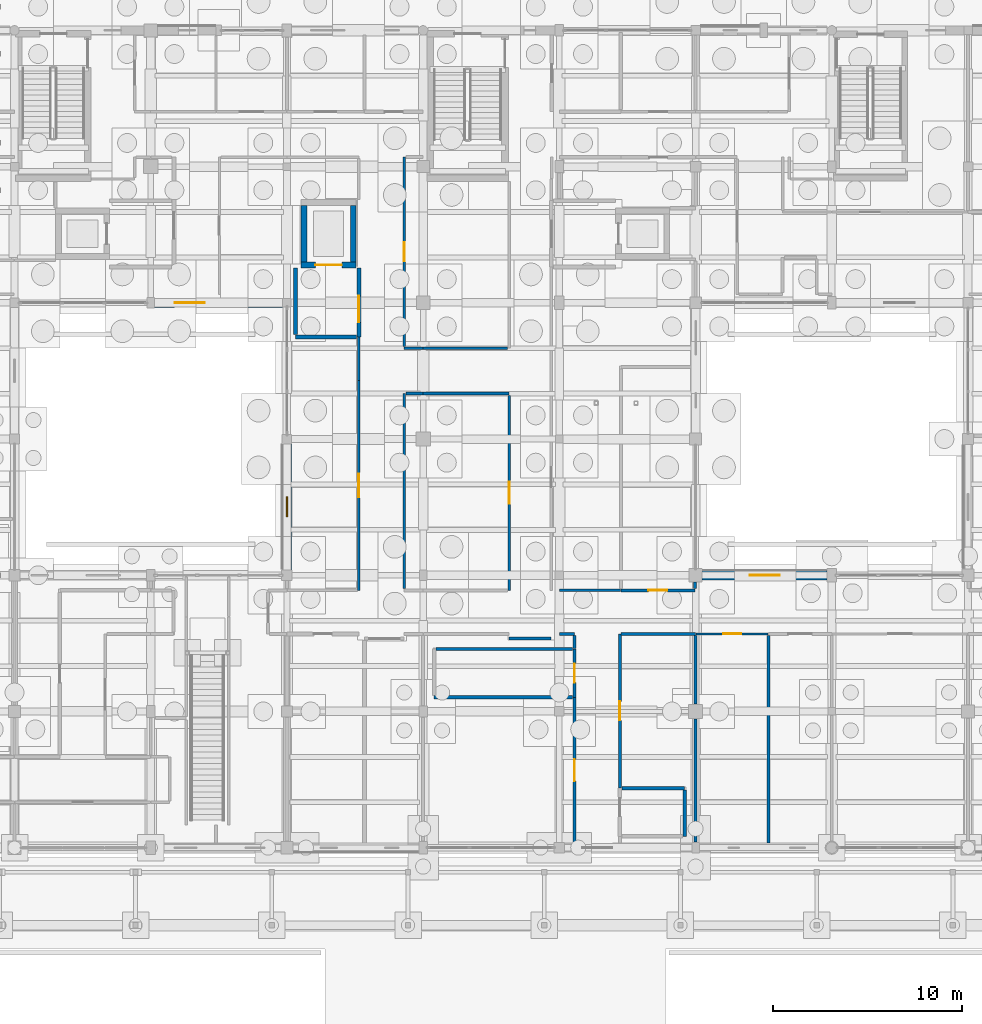
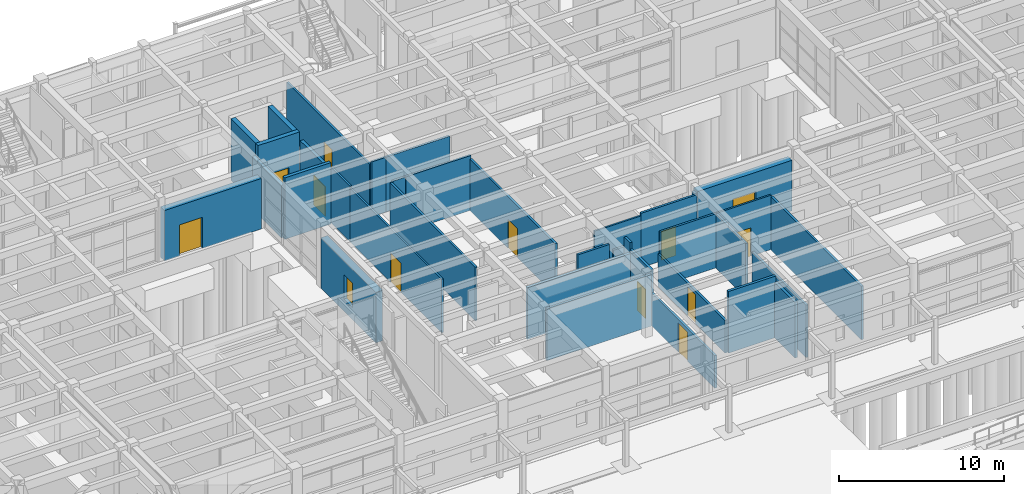
# One storey, part 111 of 143: 36 walls, 12 doors, 1 window, 13 openings.
"""IFC4 building model written with IfcOpenShell, lengths in metres."""

from ifc_helpers import new_model, si_unit, direction, frame, frame_2d, origin, place, context, subcontext, project, spatial, rectangle, extrude, material, layer, layer_set, type_object, element, fill, save


model = new_model("IFC4")

# Units and contexts
model_context = context("Model", 3, precision=1e-05, world=origin(), true_north=direction((0.0, 1.0)))
body_context = subcontext(model_context, "Body", "Model", "MODEL_VIEW")
ifc_project = project(units=[si_unit("LENGTHUNIT", "METRE"), si_unit("AREAUNIT", "SQUARE_METRE"), si_unit("VOLUMEUNIT", "CUBIC_METRE"), si_unit("PLANEANGLEUNIT", "RADIAN"), si_unit("MASSUNIT", "GRAM", prefix="KILO")], contexts=[model_context])

# Site, building, storey
site_placement = place(None, origin())
site = spatial("IfcSite", under=ifc_project, at=site_placement, CompositionType="ELEMENT")
building_placement = place(site_placement, origin())
building = spatial("IfcBuilding", under=site, at=building_placement, Name="Steenspoor Specialist Clinic", CompositionType="ELEMENT")
storey_placement = place(building_placement, origin())
storey = spatial("IfcBuildingStorey", under=building, at=storey_placement, Name="L00", CompositionType="ELEMENT", Elevation=0.0)

# Wall, opening, window
ifc_material_1 = material(Name="Volcanic basalt ashlar masonry", Category="masonry")
ifc_layer_1 = layer(ifc_material_1, 0.47998046875)
ifc_layer_set_1 = layer_set([ifc_layer_1], Name="Volcanic basalt ashlar masonry")
wall_type_1 = type_object("IfcWallType", Name="W-BASALT-480", PredefinedType="SOLIDWALL", material=ifc_layer_set_1)
wall_1_placement = place(storey_placement, frame((74.0, 79.824951171875, 0.0), z_axis=(0.0, 0.0, 1.0), x_axis=(0.0, 1.0, 0.0)))
wall_1 = element("IfcWall", 1, at=wall_1_placement, inside=storey, type_object=wall_type_1, Name="Exterior Brick Wall EW-V4-L00-0102", PredefinedType="SOLIDWALL", context=body_context, shape_type="SweptSolid", body=[
    extrude(rectangle(XDim=6.675048828125, YDim=0.47998046875, at=frame_2d((3.33740234375, 0.0))), origin(), (0.0, 0.0, 1.0), 3.72998046875),
])
opening_1_placement = place(wall_1_placement, frame((2.8125, 0.0, 0.89990234375)))
opening_1 = element("IfcOpeningElement", 2, at=opening_1_placement, cuts=wall_1, Name="Opening WN-04", PredefinedType="OPENING", context=body_context, shape_type="SweptSolid", body=[
    extrude(rectangle(XDim=1.050048828125, YDim=1.800048828125, at=frame_2d((0.52490234375, 0.89990234375))), frame((0.0, 0.25, 0.0), z_axis=(0.0, -1.0, 0.0), x_axis=(1.0, 0.0, 0.0)), (0.0, 0.0, 1.0), 0.5),
])
ifc_material_2 = material(Name="Thermally broken aluminium and low-emissivity glass", Category="aluminium")
window_type = type_object("IfcWindowType", Name="WN-EXT-105X180", PartitioningType="SINGLE_PANEL", PredefinedType="WINDOW", material=ifc_material_2)
window_placement = place(opening_1_placement, origin())
window = element("IfcWindow", 3, at=window_placement, inside=storey, type_object=window_type, Name="Window 0124", OverallHeight=1.800048828125, OverallWidth=1.050048828125, PartitioningType="SINGLE_PANEL", PredefinedType="WINDOW", context=body_context, shape_type="SweptSolid", body=[
    extrude(rectangle(XDim=1.050048828125, YDim=1.800048828125, at=frame_2d((0.52490234375, 0.89990234375))), frame((0.0, 0.030029296875, 0.0), z_axis=(0.0, -1.0, 0.0), x_axis=(1.0, 0.0, 0.0)), (0.0, 0.0, 1.0), 0.06005859375),
])
fill(opening_1, window)

# Wall, opening, door
wall_2_placement = place(storey_placement, frame((73.77490234375, 93.949951171875, 0.0), z_axis=(0.0, 0.0, 1.0), x_axis=(-1.0, 0.0, 0.0)))
wall_2 = element("IfcWall", 4, at=wall_2_placement, inside=storey, type_object=wall_type_1, Name="Exterior Brick Wall EW-V4-L00-0103", PredefinedType="SOLIDWALL", context=body_context, shape_type="SweptSolid", body=[
    extrude(rectangle(XDim=6.77490234375, YDim=0.47998046875, at=frame_2d((3.387451171875, 0.0))), origin(), (0.0, 0.0, 1.0), 3.72998046875),
])
opening_2_placement = place(wall_2_placement, frame((4.11767578125, 0.0, 0.0)))
opening_2 = element("IfcOpeningElement", 5, at=opening_2_placement, cuts=wall_2, Name="Opening ED19", PredefinedType="OPENING", context=body_context, shape_type="SweptSolid", body=[
    extrude(rectangle(XDim=1.60009765625, YDim=2.300048828125, at=frame_2d((0.800048828125, 1.14990234375))), frame((0.0, 0.25, 0.0), z_axis=(0.0, -1.0, 0.0), x_axis=(1.0, 0.0, 0.0)), (0.0, 0.0, 1.0), 0.5),
])
ifc_material_3 = material(Name="Anodised aluminium and safety glass", Category="aluminium")
door_type_1 = type_object("IfcDoorType", Name="DT-EXIT-160X230", OperationType="NOTDEFINED", PredefinedType="DOOR", material=ifc_material_3)
door_1_placement = place(opening_2_placement, origin())
door_1 = element("IfcDoor", 6, at=door_1_placement, inside=storey, type_object=door_type_1, Name="Main Pedestrian Entrance Exit ED19", OperationType="DOUBLE_DOOR_SINGLE_SWING", OverallHeight=2.300048828125, OverallWidth=1.60009765625, PredefinedType="DOOR", context=body_context, shape_type="SweptSolid", body=[
    extrude(rectangle(XDim=1.60009765625, YDim=2.300048828125, at=frame_2d((0.800048828125, 1.14990234375))), frame((0.0, 0.02490234375, 0.0), z_axis=(0.0, -1.0, 0.0), x_axis=(1.0, 0.0, 0.0)), (0.0, 0.0, 1.0), 0.050048828125),
])
fill(opening_2, door_1)

wall_3_placement = place(storey_placement, frame((95.949951171875, 79.550048828125, 0.0), z_axis=(0.0, 0.0, 1.0), x_axis=(1.0, 0.0, 0.0)))
wall_3 = element("IfcWall", 7, at=wall_3_placement, inside=storey, type_object=wall_type_1, Name="Exterior Brick Wall EW-V4-L00-0108", PredefinedType="SOLIDWALL", context=body_context, shape_type="SweptSolid", body=[
    extrude(rectangle(XDim=6.60009765625, YDim=0.47998046875, at=frame_2d((3.300048828125, 0.0))), origin(), (0.0, 0.0, 1.0), 3.72998046875),
])
opening_3_placement = place(wall_3_placement, frame((2.5, 0.0, 0.0)))
opening_3 = element("IfcOpeningElement", 8, at=opening_3_placement, cuts=wall_3, Name="Opening ED21", PredefinedType="OPENING", context=body_context, shape_type="SweptSolid", body=[
    extrude(rectangle(XDim=1.60009765625, YDim=2.300048828125, at=frame_2d((0.800048828125, 1.14990234375))), frame((0.0, 0.25, 0.0), z_axis=(0.0, -1.0, 0.0), x_axis=(1.0, 0.0, 0.0)), (0.0, 0.0, 1.0), 0.5),
])
door_2_placement = place(opening_3_placement, origin())
door_2 = element("IfcDoor", 9, at=door_2_placement, inside=storey, type_object=door_type_1, Name="Main Pedestrian Entrance Exit ED21", OperationType="DOUBLE_DOOR_SINGLE_SWING", OverallHeight=2.300048828125, OverallWidth=1.60009765625, PredefinedType="DOOR", context=body_context, shape_type="SweptSolid", body=[
    extrude(rectangle(XDim=1.60009765625, YDim=2.300048828125, at=frame_2d((0.800048828125, 1.14990234375))), frame((0.0, 0.02490234375, 0.0), z_axis=(0.0, -1.0, 0.0), x_axis=(1.0, 0.0, 0.0)), (0.0, 0.0, 1.0), 0.050048828125),
])
fill(opening_3, door_2)

# Walls
ifc_material_4 = material(Name="Gypsum acoustic clinical partition", Category="gypsum")
ifc_layer_2 = layer(ifc_material_4, 0.14990234375)
ifc_layer_set_2 = layer_set([ifc_layer_2], Name="Gypsum acoustic clinical partition")
wall_type_2 = type_object("IfcWallType", Name="W-CLIN-150", PredefinedType="PARTITIONING", material=ifc_layer_set_2)
wall_4_placement = place(storey_placement, frame((88.39990234375, 76.449951171875, 0.0), z_axis=(0.0, 0.0, 1.0), x_axis=(1.0, 0.0, 0.0)))
element("IfcWall", 10, at=wall_4_placement, inside=storey, type_object=wall_type_2, Name="Interior Partition IW-V4-L00-0219", PredefinedType="PARTITIONING", context=body_context, shape_type="SweptSolid", body=[
    extrude(rectangle(XDim=0.800048828125, YDim=0.14990234375, at=frame_2d((0.39990234375, 0.0))), origin(), (0.0, 0.0, 1.0), 3.81494140625),
])
wall_5_placement = place(storey_placement, frame((89.199951171875, 75.6650390625, 0.0), z_axis=(0.0, 0.0, 1.0), x_axis=(0.0, 1.0, 0.0)))
element("IfcWall", 11, at=wall_5_placement, inside=storey, type_object=wall_type_2, Name="Interior Partition IW-V4-L00-0220", PredefinedType="PARTITIONING", context=body_context, shape_type="SweptSolid", body=[
    extrude(rectangle(XDim=0.695068359375, YDim=0.14990234375, at=frame_2d((0.34765625, 0.0))), origin(), (0.0, 0.0, 1.0), 4.550048828125),
])

# Wall, opening, door
wall_6_placement = place(storey_placement, frame((89.199951171875, 65.405029296875, 0.0), z_axis=(0.0, 0.0, 1.0), x_axis=(0.0, 1.0, 0.0)))
wall_6 = element("IfcWall", 12, at=wall_6_placement, inside=storey, type_object=wall_type_2, Name="Interior Partition IW-V4-L00-0221", PredefinedType="PARTITIONING", context=body_context, shape_type="SweptSolid", body=[
    extrude(rectangle(XDim=7.679931640625, YDim=0.14990234375, at=frame_2d((3.83984375, 0.0))), origin(), (0.0, 0.0, 1.0), 2.4150390625),
])
opening_4_placement = place(wall_6_placement, frame((3.264892578125, 0.0, 0.0)))
opening_4 = element("IfcOpeningElement", 13, at=opening_4_placement, cuts=wall_6, Name="Opening D0153", PredefinedType="OPENING", context=body_context, shape_type="SweptSolid", body=[
    extrude(rectangle(XDim=1.14990234375, YDim=2.14990234375, at=frame_2d((0.574951171875, 1.074951171875))), frame((0.0, 0.0849609375, 0.0), z_axis=(0.0, -1.0, 0.0), x_axis=(1.0, 0.0, 0.0)), (0.0, 0.0, 1.0), 0.169921875),
])
ifc_material_5 = material(Name="Solid-core hardwood clinical door", Category="wood")
door_type_2 = type_object("IfcDoorType", Name="DT-CONS-115X215", OperationType="NOTDEFINED", PredefinedType="DOOR", material=ifc_material_5)
door_3_placement = place(opening_4_placement, origin())
door_3 = element("IfcDoor", 14, at=door_3_placement, inside=storey, type_object=door_type_2, Name="Clinical Door D0153", OperationType="SINGLE_SWING_RIGHT", OverallHeight=2.14990234375, OverallWidth=1.14990234375, PredefinedType="DOOR", context=body_context, shape_type="SweptSolid", body=[
    extrude(rectangle(XDim=1.14990234375, YDim=2.14990234375, at=frame_2d((0.574951171875, 1.074951171875))), frame((0.0, 0.02490234375, 0.0), z_axis=(0.0, -1.0, 0.0), x_axis=(1.0, 0.0, 0.0)), (0.0, 0.0, 1.0), 0.050048828125),
])
fill(opening_4, door_3)

# Walls
wall_7_placement = place(storey_placement, frame((85.75, 76.199951171875, 0.0), z_axis=(0.0, 0.0, 1.0), x_axis=(1.0, 0.0, 0.0)))
element("IfcWall", 15, at=wall_7_placement, inside=storey, type_object=wall_type_2, Name="Interior Partition IW-V4-L00-0223", PredefinedType="PARTITIONING", context=body_context, shape_type="SweptSolid", body=[
    extrude(rectangle(XDim=2.219970703125, YDim=0.14990234375, at=frame_2d((1.10986328125, 0.0))), origin(), (0.0, 0.0, 1.0), 4.550048828125),
])
wall_8_placement = place(storey_placement, frame((91.64990234375, 76.449951171875, 0.0), z_axis=(0.0, 0.0, 1.0), x_axis=(1.0, 0.0, 0.0)))
element("IfcWall", 16, at=wall_8_placement, inside=storey, type_object=wall_type_2, Name="Interior Partition IW-V4-L00-0224", PredefinedType="PARTITIONING", context=body_context, shape_type="SweptSolid", body=[
    extrude(rectangle(XDim=3.9501953125, YDim=0.14990234375, at=frame_2d((1.97509765625, 0.0))), origin(), (0.0, 0.0, 1.0), 4.014892578125),
])

# Wall, opening, door
wall_9_placement = place(storey_placement, frame((91.60009765625, 68.31494140625, 0.0), z_axis=(0.0, 0.0, 1.0), x_axis=(0.0, 1.0, 0.0)))
wall_9 = element("IfcWall", 17, at=wall_9_placement, inside=storey, type_object=wall_type_2, Name="Interior Partition IW-V4-L00-0226", PredefinedType="PARTITIONING", context=body_context, shape_type="SweptSolid", body=[
    extrude(rectangle(XDim=8.135009765625, YDim=0.14990234375, at=frame_2d((4.0673828125, 0.0))), origin(), (0.0, 0.0, 1.0), 2.4150390625),
])
opening_5_placement = place(wall_9_placement, frame((3.5673828125, 0.0, 0.0)))
opening_5 = element("IfcOpeningElement", 18, at=opening_5_placement, cuts=wall_9, Name="Opening D0155", PredefinedType="OPENING", context=body_context, shape_type="SweptSolid", body=[
    extrude(rectangle(XDim=1.0, YDim=2.14990234375, at=frame_2d((0.5, 1.074951171875))), frame((0.0, 0.0849609375, 0.0), z_axis=(0.0, -1.0, 0.0), x_axis=(1.0, 0.0, 0.0)), (0.0, 0.0, 1.0), 0.169921875),
])
ifc_material_6 = material(Name="Moisture-resistant HPL accessible WC door", Category="wood")
door_type_3 = type_object("IfcDoorType", Name="DT-AWC-100X215", OperationType="NOTDEFINED", PredefinedType="DOOR", material=ifc_material_6)
door_4_placement = place(opening_5_placement, origin())
door_4 = element("IfcDoor", 19, at=door_4_placement, inside=storey, type_object=door_type_3, Name="Clinical Door D0155", OperationType="SINGLE_SWING_RIGHT", OverallHeight=2.14990234375, OverallWidth=1.0, PredefinedType="DOOR", context=body_context, shape_type="SweptSolid", body=[
    extrude(rectangle(XDim=1.0, YDim=2.14990234375, at=frame_2d((0.5, 1.074951171875))), frame((0.0, 0.02490234375, 0.0), z_axis=(0.0, -1.0, 0.0), x_axis=(1.0, 0.0, 0.0)), (0.0, 0.0, 1.0), 0.050048828125),
])
fill(opening_5, door_4)

# Wall
wall_10_placement = place(storey_placement, frame((81.199951171875, 89.14990234375, 0.0), z_axis=(0.0, 0.0, 1.0), x_axis=(1.0, 0.0, 0.0)))
element("IfcWall", 20, at=wall_10_placement, inside=storey, type_object=wall_type_2, Name="Interior Partition IW-V4-L00-0239", PredefinedType="PARTITIONING", context=body_context, shape_type="SweptSolid", body=[
    extrude(rectangle(XDim=4.550048828125, YDim=0.14990234375, at=frame_2d((2.27490234375, 0.0))), origin(), (0.0, 0.0, 1.0), 4.054931640625),
])

# Wall, opening, door
wall_11_placement = place(storey_placement, frame((85.75, 78.75, 0.0), z_axis=(0.0, 0.0, 1.0), x_axis=(0.0, 1.0, 0.0)))
wall_11 = element("IfcWall", 21, at=wall_11_placement, inside=storey, type_object=wall_type_2, Name="Interior Partition IW-V4-L00-0240", PredefinedType="PARTITIONING", context=body_context, shape_type="SweptSolid", body=[
    extrude(rectangle(XDim=10.31005859375, YDim=0.14990234375, at=frame_2d((5.155029296875, 0.0))), origin(), (0.0, 0.0, 1.0), 3.81494140625),
])
opening_6_placement = place(wall_11_placement, frame((4.580078125, 0.0, 0.0)))
opening_6 = element("IfcOpeningElement", 22, at=opening_6_placement, cuts=wall_11, Name="Opening D0165", PredefinedType="OPENING", context=body_context, shape_type="SweptSolid", body=[
    extrude(rectangle(XDim=1.14990234375, YDim=2.14990234375, at=frame_2d((0.574951171875, 1.074951171875))), frame((0.0, 0.0849609375, 0.0), z_axis=(0.0, -1.0, 0.0), x_axis=(1.0, 0.0, 0.0)), (0.0, 0.0, 1.0), 0.169921875),
])
door_5_placement = place(opening_6_placement, origin())
door_5 = element("IfcDoor", 23, at=door_5_placement, inside=storey, type_object=door_type_2, Name="Clinical Door D0165", OperationType="SINGLE_SWING_RIGHT", OverallHeight=2.14990234375, OverallWidth=1.14990234375, PredefinedType="DOOR", context=body_context, shape_type="SweptSolid", body=[
    extrude(rectangle(XDim=1.14990234375, YDim=2.14990234375, at=frame_2d((0.574951171875, 1.074951171875))), frame((0.0, 0.02490234375, 0.0), z_axis=(0.0, -1.0, 0.0), x_axis=(1.0, 0.0, 0.0)), (0.0, 0.0, 1.0), 0.050048828125),
])
fill(opening_6, door_5)

# Walls
wall_12_placement = place(storey_placement, frame((80.199951171875, 78.840087890625, 0.0), z_axis=(0.0, 0.0, 1.0), x_axis=(0.0, 1.0, 0.0)))
element("IfcWall", 24, at=wall_12_placement, inside=storey, type_object=wall_type_2, Name="Interior Partition IW-V4-L00-0243", PredefinedType="PARTITIONING", context=body_context, shape_type="SweptSolid", body=[
    extrude(rectangle(XDim=10.309814453125, YDim=0.14990234375, at=frame_2d((5.15478515625, 0.0))), origin(), (0.0, 0.0, 1.0), 3.955078125),
])
wall_13_placement = place(storey_placement, frame((80.2900390625, 89.14990234375, 0.0), z_axis=(0.0, 0.0, 1.0), x_axis=(1.0, 0.0, 0.0)))
element("IfcWall", 25, at=wall_13_placement, inside=storey, type_object=wall_type_2, Name="Interior Partition IW-V4-L00-0244", PredefinedType="PARTITIONING", context=body_context, shape_type="SweptSolid", body=[
    extrude(rectangle(XDim=0.89501953125, YDim=0.14990234375, at=frame_2d((0.447509765625, 0.0))), origin(), (0.0, 0.0, 1.0), 4.054931640625),
])

# Wall, opening, door
wall_14_placement = place(storey_placement, frame((91.64990234375, 78.75, 0.0), z_axis=(0.0, 0.0, 1.0), x_axis=(1.0, 0.0, 0.0)))
wall_14 = element("IfcWall", 26, at=wall_14_placement, inside=storey, type_object=wall_type_2, Name="Interior Partition IW-V4-L00-0245", PredefinedType="PARTITIONING", context=body_context, shape_type="SweptSolid", body=[
    extrude(rectangle(XDim=3.91015625, YDim=0.14990234375, at=frame_2d((1.955078125, 0.0))), origin(), (0.0, 0.0, 1.0), 4.014892578125),
])
opening_7_placement = place(wall_14_placement, frame((1.455078125, 0.0, 0.0)))
opening_7 = element("IfcOpeningElement", 27, at=opening_7_placement, cuts=wall_14, Name="Opening D0167", PredefinedType="OPENING", context=body_context, shape_type="SweptSolid", body=[
    extrude(rectangle(XDim=1.0, YDim=2.14990234375, at=frame_2d((0.5, 1.074951171875))), frame((0.0, 0.0849609375, 0.0), z_axis=(0.0, -1.0, 0.0), x_axis=(1.0, 0.0, 0.0)), (0.0, 0.0, 1.0), 0.169921875),
])
door_6_placement = place(opening_7_placement, origin())
door_6 = element("IfcDoor", 28, at=door_6_placement, inside=storey, type_object=door_type_3, Name="Clinical Door D0167", OperationType="SINGLE_SWING_RIGHT", OverallHeight=2.14990234375, OverallWidth=1.0, PredefinedType="DOOR", context=body_context, shape_type="SweptSolid", body=[
    extrude(rectangle(XDim=1.0, YDim=2.14990234375, at=frame_2d((0.5, 1.074951171875))), frame((0.0, 0.02490234375, 0.0), z_axis=(0.0, -1.0, 0.0), x_axis=(1.0, 0.0, 0.0)), (0.0, 0.0, 1.0), 0.050048828125),
])
fill(opening_7, door_6)

# Walls
wall_15_placement = place(storey_placement, frame((81.199951171875, 91.550048828125, 0.0), z_axis=(0.0, 0.0, 1.0), x_axis=(1.0, 0.0, 0.0)))
element("IfcWall", 29, at=wall_15_placement, inside=storey, type_object=wall_type_2, Name="Interior Partition IW-V4-L00-0251", PredefinedType="PARTITIONING", context=body_context, shape_type="SweptSolid", body=[
    extrude(rectangle(XDim=4.4599609375, YDim=0.14990234375, at=frame_2d((2.22998046875, 0.0))), origin(), (0.0, 0.0, 1.0), 4.054931640625),
])
wall_16_placement = place(storey_placement, frame((80.199951171875, 91.550048828125, 0.0), z_axis=(0.0, 0.0, 1.0), x_axis=(1.0, 0.0, 0.0)))
element("IfcWall", 30, at=wall_16_placement, inside=storey, type_object=wall_type_2, Name="Interior Partition IW-V4-L00-0252", PredefinedType="PARTITIONING", context=body_context, shape_type="SweptSolid", body=[
    extrude(rectangle(XDim=0.985107421875, YDim=0.14990234375, at=frame_2d((0.49267578125, 0.0))), origin(), (0.0, 0.0, 1.0), 4.054931640625),
])

# Wall, opening, door
wall_17_placement = place(storey_placement, frame((80.199951171875, 91.639892578125, 0.0), z_axis=(0.0, 0.0, 1.0), x_axis=(0.0, 1.0, 0.0)))
wall_17 = element("IfcWall", 31, at=wall_17_placement, inside=storey, type_object=wall_type_2, Name="Interior Partition IW-V4-L00-0253", PredefinedType="PARTITIONING", context=body_context, shape_type="SweptSolid", body=[
    extrude(rectangle(XDim=10.010009765625, YDim=0.14990234375, at=frame_2d((5.0048828125, 0.0))), origin(), (0.0, 0.0, 1.0), 3.81494140625),
])
opening_8_placement = place(wall_17_placement, frame((4.5048828125, 0.0, 0.0)))
opening_8 = element("IfcOpeningElement", 32, at=opening_8_placement, cuts=wall_17, Name="Opening D0173", PredefinedType="OPENING", context=body_context, shape_type="SweptSolid", body=[
    extrude(rectangle(XDim=1.0, YDim=2.14990234375, at=frame_2d((0.5, 1.074951171875))), frame((0.0, 0.0849609375, 0.0), z_axis=(0.0, -1.0, 0.0), x_axis=(1.0, 0.0, 0.0)), (0.0, 0.0, 1.0), 0.169921875),
])
door_7_placement = place(opening_8_placement, origin())
door_7 = element("IfcDoor", 33, at=door_7_placement, inside=storey, type_object=door_type_3, Name="Clinical Door D0173", OperationType="SINGLE_SWING_RIGHT", OverallHeight=2.14990234375, OverallWidth=1.0, PredefinedType="DOOR", context=body_context, shape_type="SweptSolid", body=[
    extrude(rectangle(XDim=1.0, YDim=2.14990234375, at=frame_2d((0.5, 1.074951171875))), frame((0.0, 0.02490234375, 0.0), z_axis=(0.0, -1.0, 0.0), x_axis=(1.0, 0.0, 0.0)), (0.0, 0.0, 1.0), 0.050048828125),
])
fill(opening_8, door_7)

# Walls
wall_18_placement = place(storey_placement, frame((95.60009765625, 65.43994140625, 0.0), z_axis=(0.0, 0.0, 1.0), x_axis=(0.0, 1.0, 0.0)))
element("IfcWall", 34, at=wall_18_placement, inside=storey, type_object=wall_type_2, Name="Interior Partition IW-V4-L00-0609", PredefinedType="PARTITIONING", context=body_context, shape_type="SweptSolid", body=[
    extrude(rectangle(XDim=6.52001953125, YDim=0.14990234375, at=frame_2d((3.260009765625, 0.0))), origin(), (0.0, 0.0, 1.0), 3.885009765625),
])
wall_19_placement = place(storey_placement, frame((95.60009765625, 72.739990234375, 0.0), z_axis=(0.0, 0.0, 1.0), x_axis=(0.0, 1.0, 0.0)))
element("IfcWall", 35, at=wall_19_placement, inside=storey, type_object=wall_type_2, Name="Interior Partition IW-V4-L00-0610", PredefinedType="PARTITIONING", context=body_context, shape_type="SweptSolid", body=[
    extrude(rectangle(XDim=3.6201171875, YDim=0.14990234375, at=frame_2d((1.81005859375, 0.0))), origin(), (0.0, 0.0, 1.0), 4.014892578125),
])
wall_20_placement = place(storey_placement, frame((99.449951171875, 65.405029296875, 0.0), z_axis=(0.0, 0.0, 1.0), x_axis=(0.0, 1.0, 0.0)))
element("IfcWall", 36, at=wall_20_placement, inside=storey, type_object=wall_type_2, Name="Interior Partition IW-V4-L00-0611", PredefinedType="PARTITIONING", context=body_context, shape_type="SweptSolid", body=[
    extrude(rectangle(XDim=10.955078125, YDim=0.14990234375, at=frame_2d((5.4775390625, 0.0))), origin(), (0.0, 0.0, 1.0), 3.955078125),
])
wall_21_placement = place(storey_placement, frame((95.56005859375, 78.840087890625, 0.0), z_axis=(0.0, 0.0, 1.0), x_axis=(0.0, 1.0, 0.0)))
element("IfcWall", 37, at=wall_21_placement, inside=storey, type_object=wall_type_2, Name="Interior Partition IW-V4-L00-0625", PredefinedType="PARTITIONING", context=body_context, shape_type="SweptSolid", body=[
    extrude(rectangle(XDim=0.344970703125, YDim=0.14990234375, at=frame_2d((0.17236328125, 0.0))), origin(), (0.0, 0.0, 1.0), 4.014892578125),
])

# Wall, opening, door
ifc_material_7 = material(Name="Fire-rated clay blockwork masonry", Category="masonry")
ifc_layer_3 = layer(ifc_material_7, 0.219970703125)
ifc_layer_set_3 = layer_set([ifc_layer_3], Name="Fire-rated clay blockwork masonry")
wall_type_3 = type_object("IfcWallType", Name="W-FIRE-220", PredefinedType="PARTITIONING", material=ifc_layer_set_3)
wall_22_placement = place(storey_placement, frame((77.800048828125, 92.14990234375, 0.0), z_axis=(0.0, 0.0, 1.0), x_axis=(0.0, 1.0, 0.0)))
wall_22 = element("IfcWall", 38, at=wall_22_placement, inside=storey, type_object=wall_type_3, Name="Interior Partition IW-V4-L00-0001", PredefinedType="PARTITIONING", context=body_context, shape_type="SweptSolid", body=[
    extrude(rectangle(XDim=3.650146484375, YDim=0.219970703125, at=frame_2d((1.8251953125, 0.0))), origin(), (0.0, 0.0, 1.0), 3.885009765625),
])
opening_9_placement = place(wall_22_placement, frame((0.764892578125, 0.0, 0.0)))
opening_9 = element("IfcOpeningElement", 39, at=opening_9_placement, cuts=wall_22, Name="Opening D0144", PredefinedType="OPENING", context=body_context, shape_type="SweptSolid", body=[
    extrude(rectangle(XDim=1.39990234375, YDim=2.199951171875, at=frame_2d((0.699951171875, 1.10009765625))), frame((0.0, 0.1201171875, 0.0), z_axis=(0.0, -1.0, 0.0), x_axis=(1.0, 0.0, 0.0)), (0.0, 0.0, 1.0), 0.239990234375),
])
ifc_material_8 = material(Name="Fire-rated clinical laminate door", Category="steel")
door_type_4 = type_object("IfcDoorType", Name="DT-LAB-140X220", OperationType="NOTDEFINED", PredefinedType="DOOR", material=ifc_material_8)
door_8_placement = place(opening_9_placement, origin())
door_8 = element("IfcDoor", 40, at=door_8_placement, inside=storey, type_object=door_type_4, Name="Lift Lobby Fire Door D0144", OperationType="SINGLE_SWING_LEFT", OverallHeight=2.199951171875, OverallWidth=1.39990234375, PredefinedType="DOOR", context=body_context, shape_type="SweptSolid", body=[
    extrude(rectangle(XDim=1.39990234375, YDim=2.199951171875, at=frame_2d((0.699951171875, 1.10009765625))), frame((0.0, 0.02490234375, 0.0), z_axis=(0.0, -1.0, 0.0), x_axis=(1.0, 0.0, 0.0)), (0.0, 0.0, 1.0), 0.050048828125),
])
fill(opening_9, door_8)

# Walls
wall_23_placement = place(storey_placement, frame((74.449951171875, 92.14990234375, 0.0), z_axis=(0.0, 0.0, 1.0), x_axis=(1.0, 0.0, 0.0)))
element("IfcWall", 41, at=wall_23_placement, inside=storey, type_object=wall_type_3, Name="Interior Partition IW-V4-L00-0015", PredefinedType="PARTITIONING", context=body_context, shape_type="SweptSolid", body=[
    extrude(rectangle(XDim=3.22509765625, YDim=0.219970703125, at=frame_2d((1.612548828125, 0.0))), origin(), (0.0, 0.0, 1.0), 4.550048828125),
])
wall_24_placement = place(storey_placement, frame((74.449951171875, 92.27490234375, 0.0), z_axis=(0.0, 0.0, 1.0), x_axis=(0.0, 1.0, 0.0)))
element("IfcWall", 42, at=wall_24_placement, inside=storey, type_object=wall_type_3, Name="Interior Partition IW-V4-L00-0016", PredefinedType="PARTITIONING", context=body_context, shape_type="SweptSolid", body=[
    extrude(rectangle(XDim=3.525146484375, YDim=0.219970703125, at=frame_2d((1.7626953125, 0.0))), origin(), (0.0, 0.0, 1.0), 3.885009765625),
])

# Wall, opening, door
ifc_material_9 = material(Name="Gypsum studio partition board", Category="gypsum")
ifc_layer_4 = layer(ifc_material_9, 0.1201171875)
ifc_layer_set_4 = layer_set([ifc_layer_4], Name="Gypsum studio partition board")
wall_type_4 = type_object("IfcWallType", Name="W-PART-120", PredefinedType="PARTITIONING", material=ifc_layer_set_4)
wall_25_placement = place(storey_placement, frame((95.614990234375, 76.449951171875, 0.0), z_axis=(0.0, 0.0, 1.0), x_axis=(1.0, 0.0, 0.0)))
wall_25 = element("IfcWall", 43, at=wall_25_placement, inside=storey, type_object=wall_type_4, Name="Interior Partition IW-V4-L00-0330", PredefinedType="PARTITIONING", context=body_context, shape_type="SweptSolid", body=[
    extrude(rectangle(XDim=3.820068359375, YDim=0.1201171875, at=frame_2d((1.91015625, 0.0))), origin(), (0.0, 0.0, 1.0), 4.014892578125),
])
opening_10_placement = place(wall_25_placement, frame((1.43505859375, 0.0, 0.0)))
opening_10 = element("IfcOpeningElement", 44, at=opening_10_placement, cuts=wall_25, Name="Opening D0156", PredefinedType="OPENING", context=body_context, shape_type="SweptSolid", body=[
    extrude(rectangle(XDim=0.949951171875, YDim=2.10009765625, at=frame_2d((0.47509765625, 1.050048828125))), frame((0.0, 0.070068359375, 0.0), z_axis=(0.0, -1.0, 0.0), x_axis=(1.0, 0.0, 0.0)), (0.0, 0.0, 1.0), 0.14013671875),
])
ifc_material_10 = material(Name="Moisture-resistant HPL sanitary door", Category="wood")
door_type_5 = type_object("IfcDoorType", Name="DT-WC-095X210", OperationType="NOTDEFINED", PredefinedType="DOOR", material=ifc_material_10)
door_9_placement = place(opening_10_placement, origin())
door_9 = element("IfcDoor", 45, at=door_9_placement, inside=storey, type_object=door_type_5, Name="Clinical Door D0156", OperationType="SINGLE_SWING_LEFT", OverallHeight=2.10009765625, OverallWidth=0.949951171875, PredefinedType="DOOR", context=body_context, shape_type="SweptSolid", body=[
    extrude(rectangle(XDim=0.949951171875, YDim=2.10009765625, at=frame_2d((0.47509765625, 1.050048828125))), frame((0.0, 0.02490234375, 0.0), z_axis=(0.0, -1.0, 0.0), x_axis=(1.0, 0.0, 0.0)), (0.0, 0.0, 1.0), 0.050048828125),
])
fill(opening_10, door_9)

# Wall
wall_26_placement = place(storey_placement, frame((77.800048828125, 89.85009765625, 0.0), z_axis=(0.0, 0.0, 1.0), x_axis=(0.0, 1.0, 0.0)))
element("IfcWall", 46, at=wall_26_placement, inside=storey, type_object=wall_type_4, Name="Interior Partition IW-V4-L00-0334", PredefinedType="PARTITIONING", context=body_context, shape_type="SweptSolid", body=[
    extrude(rectangle(XDim=2.284912109375, YDim=0.1201171875, at=frame_2d((1.142578125, 0.0))), origin(), (0.0, 0.0, 1.0), 4.114990234375),
])

# Wall, opening, door
wall_27_placement = place(storey_placement, frame((77.800048828125, 78.75, 0.0), z_axis=(0.0, 0.0, 1.0), x_axis=(0.0, 1.0, 0.0)))
wall_27 = element("IfcWall", 47, at=wall_27_placement, inside=storey, type_object=wall_type_4, Name="Interior Partition IW-V4-L00-0335", PredefinedType="PARTITIONING", context=body_context, shape_type="SweptSolid", body=[
    extrude(rectangle(XDim=11.0849609375, YDim=0.1201171875, at=frame_2d((5.54248046875, 0.0))), origin(), (0.0, 0.0, 1.0), 3.955078125),
])
opening_11_placement = place(wall_27_placement, frame((4.91748046875, 0.0, 0.0)))
opening_11 = element("IfcOpeningElement", 48, at=opening_11_placement, cuts=wall_27, Name="Opening D0164", PredefinedType="OPENING", context=body_context, shape_type="SweptSolid", body=[
    extrude(rectangle(XDim=1.25, YDim=2.14990234375, at=frame_2d((0.625, 1.074951171875))), frame((0.0, 0.070068359375, 0.0), z_axis=(0.0, -1.0, 0.0), x_axis=(1.0, 0.0, 0.0)), (0.0, 0.0, 1.0), 0.14013671875),
])
ifc_material_11 = material(Name="Hygienic HPL clinical timber door", Category="wood")
door_type_6 = type_object("IfcDoorType", Name="DT-EXAM-125X215", OperationType="NOTDEFINED", PredefinedType="DOOR", material=ifc_material_11)
door_10_placement = place(opening_11_placement, origin())
door_10 = element("IfcDoor", 49, at=door_10_placement, inside=storey, type_object=door_type_6, Name="Clinical Door D0164", OperationType="SINGLE_SWING_LEFT", OverallHeight=2.14990234375, OverallWidth=1.25, PredefinedType="DOOR", context=body_context, shape_type="SweptSolid", body=[
    extrude(rectangle(XDim=1.25, YDim=2.14990234375, at=frame_2d((0.625, 1.074951171875))), frame((0.0, 0.02490234375, 0.0), z_axis=(0.0, -1.0, 0.0), x_axis=(1.0, 0.0, 0.0)), (0.0, 0.0, 1.0), 0.050048828125),
])
fill(opening_11, door_10)

# Wall
wall_28_placement = place(storey_placement, frame((88.39990234375, 78.75, 0.0), z_axis=(0.0, 0.0, 1.0), x_axis=(1.0, 0.0, 0.0)))
element("IfcWall", 50, at=wall_28_placement, inside=storey, type_object=wall_type_4, Name="Interior Partition IW-V4-L00-0337", PredefinedType="PARTITIONING", context=body_context, shape_type="SweptSolid", body=[
    extrude(rectangle(XDim=3.235107421875, YDim=0.1201171875, at=frame_2d((1.61767578125, 0.0))), origin(), (0.0, 0.0, 1.0), 3.81494140625),
])

# Wall, opening, door
ifc_material_12 = material(Name="Moisture-resistant gypsum plumbing wall", Category="gypsum")
ifc_layer_5 = layer(ifc_material_12, 0.179931640625)
ifc_layer_set_5 = layer_set([ifc_layer_5], Name="Moisture-resistant gypsum plumbing wall")
wall_type_5 = type_object("IfcWallType", Name="W-PLUMB-180", PredefinedType="PLUMBINGWALL", material=ifc_layer_set_5)
wall_29_placement = place(storey_placement, frame((89.199951171875, 73.10009765625, 0.0), z_axis=(0.0, 0.0, 1.0), x_axis=(0.0, 1.0, 0.0)))
wall_29 = element("IfcWall", 51, at=wall_29_placement, inside=storey, type_object=wall_type_5, Name="Interior Partition IW-V4-L00-0011", PredefinedType="PLUMBINGWALL", context=body_context, shape_type="SweptSolid", body=[
    extrude(rectangle(XDim=2.5498046875, YDim=0.179931640625, at=frame_2d((1.27490234375, 0.0))), origin(), (0.0, 0.0, 1.0), 4.074951171875),
])
opening_12_placement = place(wall_29_placement, frame((0.77490234375, 0.0, 0.0)))
opening_12 = element("IfcOpeningElement", 52, at=opening_12_placement, cuts=wall_29, Name="Opening D0152", PredefinedType="OPENING", context=body_context, shape_type="SweptSolid", body=[
    extrude(rectangle(XDim=1.0, YDim=2.14990234375, at=frame_2d((0.5, 1.074951171875))), frame((0.0, 0.10009765625, 0.0), z_axis=(0.0, -1.0, 0.0), x_axis=(1.0, 0.0, 0.0)), (0.0, 0.0, 1.0), 0.199951171875),
])
door_11_placement = place(opening_12_placement, origin())
door_11 = element("IfcDoor", 53, at=door_11_placement, inside=storey, type_object=door_type_3, Name="Clinical Door D0152", OperationType="SINGLE_SWING_LEFT", OverallHeight=2.14990234375, OverallWidth=1.0, PredefinedType="DOOR", context=body_context, shape_type="SweptSolid", body=[
    extrude(rectangle(XDim=1.0, YDim=2.14990234375, at=frame_2d((0.5, 1.074951171875))), frame((0.0, 0.02490234375, 0.0), z_axis=(0.0, -1.0, 0.0), x_axis=(1.0, 0.0, 0.0)), (0.0, 0.0, 1.0), 0.050048828125),
])
fill(opening_12, door_11)

# Walls
wall_30_placement = place(storey_placement, frame((81.780029296875, 73.10009765625, 0.0), z_axis=(0.0, 0.0, 1.0), x_axis=(1.0, 0.0, 0.0)))
element("IfcWall", 54, at=wall_30_placement, inside=storey, type_object=wall_type_5, Name="Interior Partition IW-V4-L00-0033", PredefinedType="PLUMBINGWALL", context=body_context, shape_type="SweptSolid", body=[
    extrude(rectangle(XDim=7.31494140625, YDim=0.179931640625, at=frame_2d((3.657470703125, 0.0))), origin(), (0.0, 0.0, 1.0), 3.81494140625),
])
wall_31_placement = place(storey_placement, frame((81.885009765625, 75.64990234375, 0.0), z_axis=(0.0, 0.0, 1.0), x_axis=(1.0, 0.0, 0.0)))
element("IfcWall", 55, at=wall_31_placement, inside=storey, type_object=wall_type_5, Name="Interior Partition IW-V4-L00-0035", PredefinedType="PLUMBINGWALL", context=body_context, shape_type="SweptSolid", body=[
    extrude(rectangle(XDim=7.2099609375, YDim=0.179931640625, at=frame_2d((3.60498046875, 0.0))), origin(), (0.0, 0.0, 1.0), 3.81494140625),
])
wall_32_placement = place(storey_placement, frame((91.705078125, 68.300048828125, 0.0), z_axis=(0.0, 0.0, 1.0), x_axis=(1.0, 0.0, 0.0)))
element("IfcWall", 56, at=wall_32_placement, inside=storey, type_object=wall_type_5, Name="Interior Partition IW-V4-L00-0036", PredefinedType="PLUMBINGWALL", context=body_context, shape_type="SweptSolid", body=[
    extrude(rectangle(XDim=3.31494140625, YDim=0.179931640625, at=frame_2d((1.657470703125, 0.0))), origin(), (0.0, 0.0, 1.0), 4.550048828125),
])
wall_33_placement = place(storey_placement, frame((95.02001953125, 65.75, 0.0), z_axis=(0.0, 0.0, 1.0), x_axis=(0.0, 1.0, 0.0)))
element("IfcWall", 57, at=wall_33_placement, inside=storey, type_object=wall_type_5, Name="Interior Partition IW-V4-L00-0037", PredefinedType="PLUMBINGWALL", context=body_context, shape_type="SweptSolid", body=[
    extrude(rectangle(XDim=2.445068359375, YDim=0.179931640625, at=frame_2d((1.22265625, 0.0))), origin(), (0.0, 0.0, 1.0), 4.114990234375),
])

# Wall, opening, door
ifc_material_13 = material(Name="Concrete C40/50", Category="concrete")
ifc_layer_6 = layer(ifc_material_13, 0.300048828125)
ifc_layer_set_6 = layer_set([ifc_layer_6], Name="Concrete C40/50")
wall_type_6 = type_object("IfcWallType", Name="W-SW-300", PredefinedType="SHEAR", material=ifc_layer_set_6)
wall_34_placement = place(storey_placement, frame((74.75, 95.949951171875, 0.0), z_axis=(0.0, 0.0, 1.0), x_axis=(1.0, 0.0, 0.0)))
wall_34 = element("IfcWall", 58, at=wall_34_placement, inside=storey, type_object=wall_type_6, Name="Lift Shaft Shear Wall SW-EL-S1-L00-S", PredefinedType="SHEAR", context=body_context, shape_type="SweptSolid", body=[
    extrude(rectangle(XDim=2.89990234375, YDim=0.300048828125, at=frame_2d((1.449951171875, 0.0))), origin(), (0.0, 0.0, 1.0), 4.550048828125),
])
opening_13_placement = place(wall_34_placement, frame((0.75, 0.0, 0.0)))
opening_13 = element("IfcOpeningElement", 59, at=opening_13_placement, cuts=wall_34, Name="Opening LD01", PredefinedType="OPENING", context=body_context, shape_type="SweptSolid", body=[
    extrude(rectangle(XDim=1.39990234375, YDim=2.14990234375, at=frame_2d((0.699951171875, 1.074951171875))), frame((0.0, 0.16015625, 0.0), z_axis=(0.0, -1.0, 0.0), x_axis=(1.0, 0.0, 0.0)), (0.0, 0.0, 1.0), 0.320068359375),
])
ifc_material_14 = material(Name="Stainless steel lift landing door", Category="steel")
door_type_7 = type_object("IfcDoorType", Name="DT-LIFT-S-140", OperationType="NOTDEFINED", PredefinedType="DOOR", material=ifc_material_14)
door_12_placement = place(opening_13_placement, origin())
door_12 = element("IfcDoor", 60, at=door_12_placement, inside=storey, type_object=door_type_7, Name="Lift Landing Door LD01", OperationType="SLIDING_TO_LEFT", OverallHeight=2.14990234375, OverallWidth=1.39990234375, PredefinedType="DOOR", context=body_context, shape_type="SweptSolid", body=[
    extrude(rectangle(XDim=1.39990234375, YDim=2.14990234375, at=frame_2d((0.699951171875, 1.074951171875))), frame((0.0, 0.02490234375, 0.0), z_axis=(0.0, -1.0, 0.0), x_axis=(1.0, 0.0, 0.0)), (0.0, 0.0, 1.0), 0.050048828125),
])
fill(opening_13, door_12)

# Walls
for number, where, z_axis, x_axis, name in (
    (61, (74.89990234375, 96.10009765625, 0.0), (0.0, 0.0, 1.0), (0.0, 1.0, 0.0), "Lift Shaft Shear Wall SW-EL-S1-L00-W"),
    (62, (77.5, 96.10009765625, 0.0), (0.0, 0.0, 1.0), (0.0, 1.0, 0.0), "Lift Shaft Shear Wall SW-EL-S1-L00-E"),
):
    element("IfcWall", number, at=place(storey_placement, frame(where, z_axis=z_axis, x_axis=x_axis)), inside=storey, type_object=wall_type_6, Name=name, PredefinedType="SHEAR", context=body_context, shape_type="SweptSolid", body=[
        extrude(rectangle(XDim=3.0, YDim=0.300048828125, at=frame_2d((1.5, 0.0))), origin(), (0.0, 0.0, 1.0), 4.550048828125),
    ])

save(model, "model.ifc")
